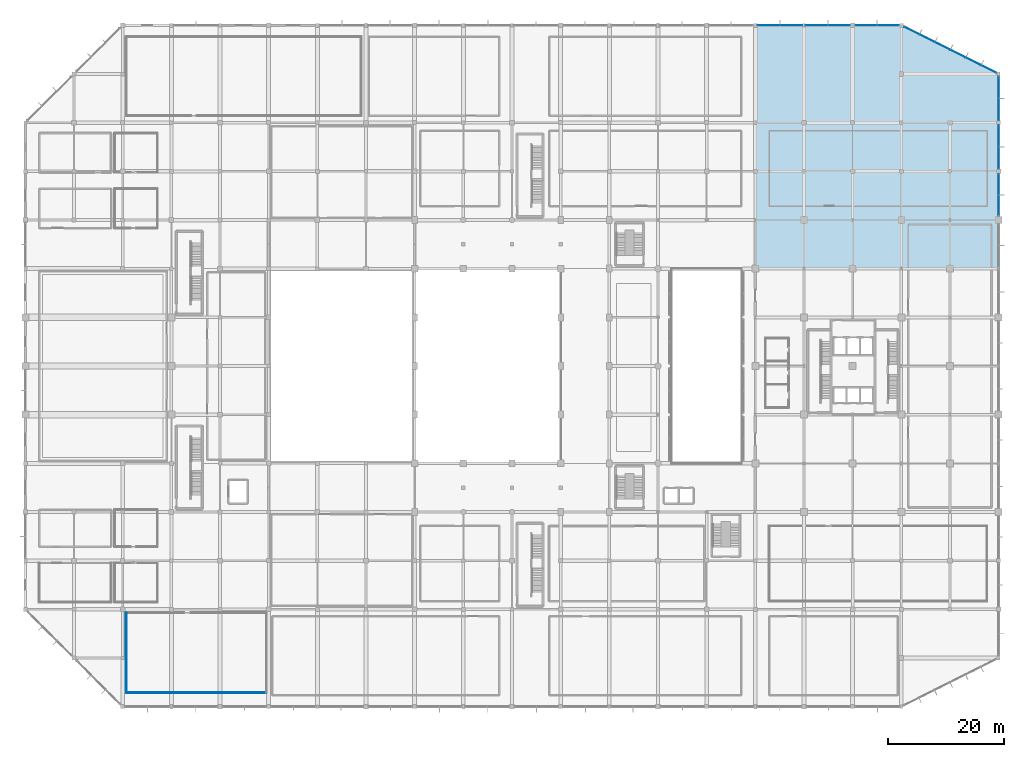
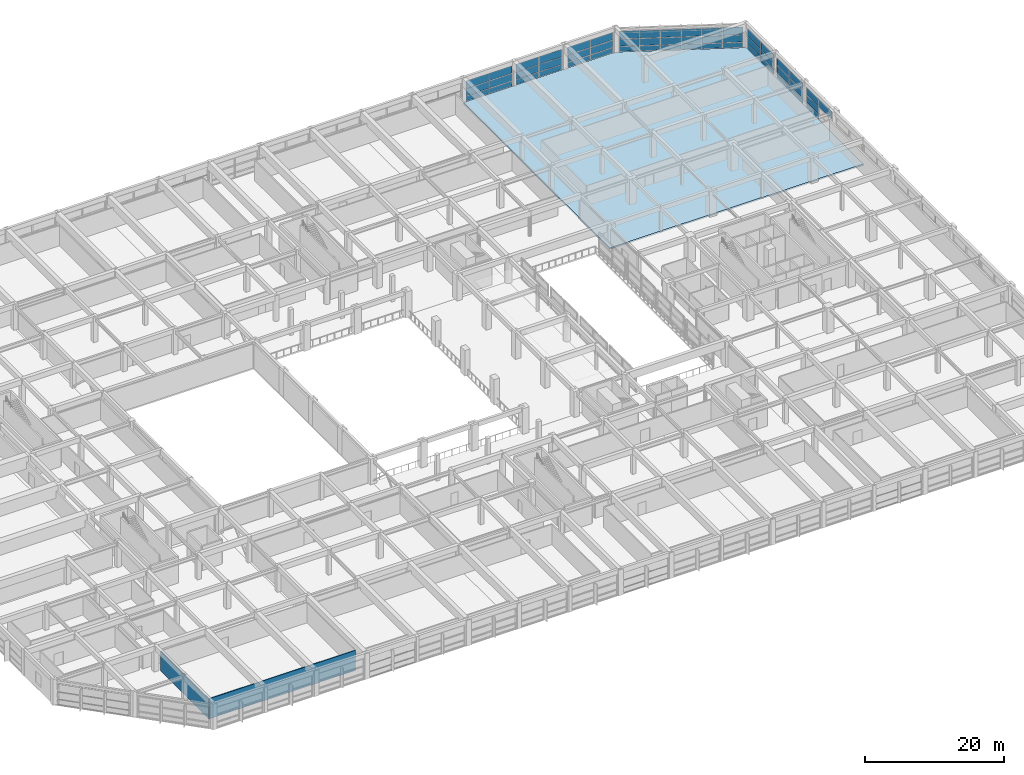
# One storey, part 49 of 65: 52 plates, 2 walls, 1 slab, 7 elements without a shape of their own.
"""IFC4 building model written with IfcOpenShell, lengths in metres."""

from ifc_helpers import new_model, si_unit, direction, frame, frame_2d, origin, origin_2d, place, context, subcontext, project, spatial, polyline, rectangle, outline, extrude, material, layer, layer_set, type_object, element, aggregate, save


model = new_model("IFC4")

# Units and contexts
model_context = context("Model", 3, precision=1e-05, world=origin(), true_north=direction((0.0, 1.0)))
body_context = subcontext(model_context, "Body", "Model", "MODEL_VIEW")
ifc_project = project(units=[si_unit("LENGTHUNIT", "METRE"), si_unit("AREAUNIT", "SQUARE_METRE"), si_unit("VOLUMEUNIT", "CUBIC_METRE"), si_unit("PLANEANGLEUNIT", "RADIAN"), si_unit("MASSUNIT", "GRAM", prefix="KILO")], contexts=[model_context])

# Site, building, storey
site_placement = place(None, origin())
site = spatial("IfcSite", under=ifc_project, at=site_placement, CompositionType="ELEMENT")
building_placement = place(site_placement, origin())
building = spatial("IfcBuilding", under=site, at=building_placement, Name="Xuanlan Plaza Opera House", CompositionType="ELEMENT")
storey_placement = place(building_placement, frame((0.0, 0.0, 5.39990234375)))
storey = spatial("IfcBuildingStorey", under=building, at=storey_placement, Name="L01", CompositionType="ELEMENT", Elevation=5.39990234375)

# Curtain wall, plates
ifc_material_1 = material(Name="Anodised Aluminium 6063-T6 and Low-E Glass", Category="aluminium")
curtain_wall_type_1 = type_object("IfcCurtainWallType", Name="ENV-CW-CW-02", PredefinedType="USERDEFINED", material=ifc_material_1)
curtain_wall_1_placement = place(storey_placement, origin())
curtain_wall_1 = element("IfcCurtainWall", 1, at=curtain_wall_1_placement, inside=storey, type_object=curtain_wall_type_1, Name="Unitised Curtain Wall L01-031", ObjectType="UNITISED CURTAIN WALL", PredefinedType="USERDEFINED")
ifc_material_2 = material(Name="Laminated Acoustic Double Glazing", Category="glass")
ifc_layer_1 = layer(ifc_material_2, 0.028076171875)
ifc_layer_set_1 = layer_set([ifc_layer_1], Name="Laminated Acoustic Double Glazing")
plate_type_1 = type_object("IfcPlateType", Name="ENV-CWP-01", PredefinedType="CURTAIN_PANEL", material=ifc_layer_set_1)
plate_1_placement = place(storey_placement, frame((148.907470703125, 117.60009765625, 0.090087890625), z_axis=(0.0, 0.0, 1.0), x_axis=(-1.0, 0.0, 0.0)))
plate_1 = element("IfcPlate", 2, at=plate_1_placement, type_object=plate_type_1, Name="CW-02 panel 1.1", PredefinedType="CURTAIN_PANEL", context=body_context, shape_type="SweptSolid", body=[
    extrude(rectangle(XDim=3.68505859375, YDim=0.028076171875, at=origin_2d()), origin(), (0.0, 0.0, 1.0), 0.81494140625),
])
plate_2_placement = place(storey_placement, frame((148.907470703125, 117.60009765625, 0.9951171875), z_axis=(0.0, 0.0, 1.0), x_axis=(-1.0, 0.0, 0.0)))
plate_2 = element("IfcPlate", 3, at=plate_2_placement, type_object=plate_type_1, Name="CW-02 panel 1.2", PredefinedType="CURTAIN_PANEL", context=body_context, shape_type="SweptSolid", body=[
    extrude(rectangle(XDim=3.68505859375, YDim=0.028076171875, at=origin_2d()), origin(), (0.0, 0.0, 1.0), 1.2099609375),
])
plate_3_placement = place(storey_placement, frame((148.907470703125, 117.60009765625, 2.295166015625), z_axis=(0.0, 0.0, 1.0), x_axis=(-1.0, 0.0, 0.0)))
plate_3 = element("IfcPlate", 4, at=plate_3_placement, type_object=plate_type_1, Name="CW-02 panel 1.3", PredefinedType="CURTAIN_PANEL", context=body_context, shape_type="SweptSolid", body=[
    extrude(rectangle(XDim=3.68505859375, YDim=0.028076171875, at=origin_2d()), origin(), (0.0, 0.0, 1.0), 1.294921875),
])
plate_4_placement = place(storey_placement, frame((145.142578125, 117.60009765625, 0.090087890625), z_axis=(0.0, 0.0, 1.0), x_axis=(-1.0, 0.0, 0.0)))
plate_4 = element("IfcPlate", 5, at=plate_4_placement, type_object=plate_type_1, Name="CW-02 panel 2.1", PredefinedType="CURTAIN_PANEL", context=body_context, shape_type="SweptSolid", body=[
    extrude(rectangle(XDim=3.68505859375, YDim=0.028076171875, at=origin_2d()), origin(), (0.0, 0.0, 1.0), 0.81494140625),
])
plate_5_placement = place(storey_placement, frame((145.142578125, 117.60009765625, 0.9951171875), z_axis=(0.0, 0.0, 1.0), x_axis=(-1.0, 0.0, 0.0)))
plate_5 = element("IfcPlate", 6, at=plate_5_placement, type_object=plate_type_1, Name="CW-02 panel 2.2", PredefinedType="CURTAIN_PANEL", context=body_context, shape_type="SweptSolid", body=[
    extrude(rectangle(XDim=3.68505859375, YDim=0.028076171875, at=origin_2d()), origin(), (0.0, 0.0, 1.0), 1.2099609375),
])
plate_6_placement = place(storey_placement, frame((145.142578125, 117.60009765625, 2.295166015625), z_axis=(0.0, 0.0, 1.0), x_axis=(-1.0, 0.0, 0.0)))
plate_6 = element("IfcPlate", 7, at=plate_6_placement, type_object=plate_type_1, Name="CW-02 panel 2.3", PredefinedType="CURTAIN_PANEL", context=body_context, shape_type="SweptSolid", body=[
    extrude(rectangle(XDim=3.68505859375, YDim=0.028076171875, at=origin_2d()), origin(), (0.0, 0.0, 1.0), 1.294921875),
])
aggregate(curtain_wall_1, [plate_1, plate_2, plate_3, plate_4, plate_5, plate_6])

curtain_wall_type_2 = type_object("IfcCurtainWallType", Name="ENV-CW-CW-03", PredefinedType="USERDEFINED", material=ifc_material_1)
curtain_wall_2_placement = place(storey_placement, origin())
curtain_wall_2 = element("IfcCurtainWall", 8, at=curtain_wall_2_placement, inside=storey, type_object=curtain_wall_type_2, Name="Unitised Curtain Wall L01-028", ObjectType="UNITISED CURTAIN WALL", PredefinedType="USERDEFINED")
ifc_layer_2 = layer(ifc_material_2, 0.031982421875)
ifc_layer_set_2 = layer_set([ifc_layer_2], Name="Laminated Acoustic Double Glazing")
plate_type_2 = type_object("IfcPlateType", Name="ENV-CWP-02", PredefinedType="CURTAIN_PANEL", material=ifc_layer_set_2)
plate_7_placement = place(storey_placement, frame((168.0, 94.73876953125, 0.080078125), z_axis=(0.0, 0.0, 1.0), x_axis=(0.0, 1.0, 0.0)))
plate_7 = element("IfcPlate", 9, at=plate_7_placement, type_object=plate_type_2, Name="CW-03 panel 1.1", PredefinedType="CURTAIN_PANEL", context=body_context, shape_type="SweptSolid", body=[
    extrude(rectangle(XDim=3.70751953125, YDim=0.031982421875, at=origin_2d()), origin(), (0.0, 0.0, 1.0), 0.830078125),
])
plate_8_placement = place(storey_placement, frame((168.0, 94.73876953125, 0.990234375), z_axis=(0.0, 0.0, 1.0), x_axis=(0.0, 1.0, 0.0)))
plate_8 = element("IfcPlate", 10, at=plate_8_placement, type_object=plate_type_2, Name="CW-03 panel 1.2", PredefinedType="CURTAIN_PANEL", context=body_context, shape_type="SweptSolid", body=[
    extrude(rectangle(XDim=3.70751953125, YDim=0.031982421875, at=origin_2d()), origin(), (0.0, 0.0, 1.0), 1.219970703125),
])
plate_9_placement = place(storey_placement, frame((168.0, 94.73876953125, 2.2900390625), z_axis=(0.0, 0.0, 1.0), x_axis=(0.0, 1.0, 0.0)))
plate_9 = element("IfcPlate", 11, at=plate_9_placement, type_object=plate_type_2, Name="CW-03 panel 1.3", PredefinedType="CURTAIN_PANEL", context=body_context, shape_type="SweptSolid", body=[
    extrude(rectangle(XDim=3.70751953125, YDim=0.031982421875, at=origin_2d()), origin(), (0.0, 0.0, 1.0), 1.31005859375),
])
plate_10_placement = place(storey_placement, frame((168.0, 98.51123046875, 0.080078125), z_axis=(0.0, 0.0, 1.0), x_axis=(0.0, 1.0, 0.0)))
plate_10 = element("IfcPlate", 12, at=plate_10_placement, type_object=plate_type_2, Name="CW-03 panel 2.1", PredefinedType="CURTAIN_PANEL", context=body_context, shape_type="SweptSolid", body=[
    extrude(rectangle(XDim=3.70751953125, YDim=0.031982421875, at=origin_2d()), origin(), (0.0, 0.0, 1.0), 0.830078125),
])
plate_11_placement = place(storey_placement, frame((168.0, 98.51123046875, 0.990234375), z_axis=(0.0, 0.0, 1.0), x_axis=(0.0, 1.0, 0.0)))
plate_11 = element("IfcPlate", 13, at=plate_11_placement, type_object=plate_type_2, Name="CW-03 panel 2.2", PredefinedType="CURTAIN_PANEL", context=body_context, shape_type="SweptSolid", body=[
    extrude(rectangle(XDim=3.70751953125, YDim=0.031982421875, at=origin_2d()), origin(), (0.0, 0.0, 1.0), 1.219970703125),
])
plate_12_placement = place(storey_placement, frame((168.0, 98.51123046875, 2.2900390625), z_axis=(0.0, 0.0, 1.0), x_axis=(0.0, 1.0, 0.0)))
plate_12 = element("IfcPlate", 14, at=plate_12_placement, type_object=plate_type_2, Name="CW-03 panel 2.3", PredefinedType="CURTAIN_PANEL", context=body_context, shape_type="SweptSolid", body=[
    extrude(rectangle(XDim=3.70751953125, YDim=0.031982421875, at=origin_2d()), origin(), (0.0, 0.0, 1.0), 1.31005859375),
])
aggregate(curtain_wall_2, [plate_7, plate_8, plate_9, plate_10, plate_11, plate_12])

curtain_wall_type_3 = type_object("IfcCurtainWallType", Name="ENV-CW-CW-06", PredefinedType="USERDEFINED", material=ifc_material_1)
curtain_wall_3_placement = place(storey_placement, origin())
curtain_wall_3 = element("IfcCurtainWall", 15, at=curtain_wall_3_placement, inside=storey, type_object=curtain_wall_type_3, Name="Acoustic Glazed Wall L01-033", ObjectType="ACOUSTIC GLAZED WALL", PredefinedType="USERDEFINED")
plate_13_placement = place(storey_placement, frame((132.1923828125, 117.60009765625, 0.080078125), z_axis=(0.0, 0.0, 1.0), x_axis=(-1.0, 0.0, 0.0)))
plate_13 = element("IfcPlate", 16, at=plate_13_placement, type_object=plate_type_2, Name="CW-06 panel 1.1", PredefinedType="CURTAIN_PANEL", context=body_context, shape_type="SweptSolid", body=[
    extrude(rectangle(XDim=3.794921875, YDim=0.031982421875, at=origin_2d()), origin(), (0.0, 0.0, 1.0), 0.830078125),
])
plate_14_placement = place(storey_placement, frame((132.1923828125, 117.60009765625, 0.990234375), z_axis=(0.0, 0.0, 1.0), x_axis=(-1.0, 0.0, 0.0)))
plate_14 = element("IfcPlate", 17, at=plate_14_placement, type_object=plate_type_2, Name="CW-06 panel 1.2", PredefinedType="CURTAIN_PANEL", context=body_context, shape_type="SweptSolid", body=[
    extrude(rectangle(XDim=3.794921875, YDim=0.031982421875, at=origin_2d()), origin(), (0.0, 0.0, 1.0), 1.219970703125),
])
plate_15_placement = place(storey_placement, frame((132.1923828125, 117.60009765625, 2.2900390625), z_axis=(0.0, 0.0, 1.0), x_axis=(-1.0, 0.0, 0.0)))
plate_15 = element("IfcPlate", 18, at=plate_15_placement, type_object=plate_type_2, Name="CW-06 panel 1.3", PredefinedType="CURTAIN_PANEL", context=body_context, shape_type="SweptSolid", body=[
    extrude(rectangle(XDim=3.794921875, YDim=0.031982421875, at=origin_2d()), origin(), (0.0, 0.0, 1.0), 1.31005859375),
])
plate_16_placement = place(storey_placement, frame((128.33251953125, 117.60009765625, 0.080078125), z_axis=(0.0, 0.0, 1.0), x_axis=(-1.0, 0.0, 0.0)))
plate_16 = element("IfcPlate", 19, at=plate_16_placement, type_object=plate_type_2, Name="CW-06 panel 2.1", PredefinedType="CURTAIN_PANEL", context=body_context, shape_type="SweptSolid", body=[
    extrude(rectangle(XDim=3.794921875, YDim=0.031982421875, at=origin_2d()), origin(), (0.0, 0.0, 1.0), 0.830078125),
])
plate_17_placement = place(storey_placement, frame((128.33251953125, 117.60009765625, 0.990234375), z_axis=(0.0, 0.0, 1.0), x_axis=(-1.0, 0.0, 0.0)))
plate_17 = element("IfcPlate", 20, at=plate_17_placement, type_object=plate_type_2, Name="CW-06 panel 2.2", PredefinedType="CURTAIN_PANEL", context=body_context, shape_type="SweptSolid", body=[
    extrude(rectangle(XDim=3.794921875, YDim=0.031982421875, at=origin_2d()), origin(), (0.0, 0.0, 1.0), 1.219970703125),
])
plate_18_placement = place(storey_placement, frame((128.33251953125, 117.60009765625, 2.2900390625), z_axis=(0.0, 0.0, 1.0), x_axis=(-1.0, 0.0, 0.0)))
plate_18 = element("IfcPlate", 21, at=plate_18_placement, type_object=plate_type_2, Name="CW-06 panel 2.3", PredefinedType="CURTAIN_PANEL", context=body_context, shape_type="SweptSolid", body=[
    extrude(rectangle(XDim=3.794921875, YDim=0.031982421875, at=origin_2d()), origin(), (0.0, 0.0, 1.0), 1.31005859375),
])
aggregate(curtain_wall_3, [plate_13, plate_14, plate_15, plate_16, plate_17, plate_18])

curtain_wall_type_4 = type_object("IfcCurtainWallType", Name="ENV-CW-CW-01", PredefinedType="USERDEFINED", material=ifc_material_1)
curtain_wall_4_placement = place(storey_placement, origin())
curtain_wall_4 = element("IfcCurtainWall", 22, at=curtain_wall_4_placement, inside=storey, type_object=curtain_wall_type_4, Name="Unitised Curtain Wall L01-030", ObjectType="UNITISED CURTAIN WALL", PredefinedType="USERDEFINED")
ifc_layer_3 = layer(ifc_material_2, 0.035888671875)
ifc_layer_set_3 = layer_set([ifc_layer_3], Name="Laminated Acoustic Double Glazing")
plate_type_3 = type_object("IfcPlateType", Name="ENV-CWP-03", PredefinedType="CURTAIN_PANEL", material=ifc_layer_set_3)
plate_19_placement = place(storey_placement, frame((166.27880859375, 110.060546875, 0.0751953125), z_axis=(0.0, 0.0, 1.0), x_axis=(-0.894427191001, 0.447213595499, 0.0)))
plate_19 = element("IfcPlate", 23, at=plate_19_placement, type_object=plate_type_3, Name="CW-01 panel 1.1", PredefinedType="CURTAIN_PANEL", context=body_context, shape_type="SweptSolid", body=[
    extrude(rectangle(XDim=2.859619140625, YDim=0.035888671875, at=origin_2d()), origin(), (0.0, 0.0, 1.0), 0.83740234375),
])
plate_20_placement = place(storey_placement, frame((166.27880859375, 110.060546875, 0.987548828125), z_axis=(0.0, 0.0, 1.0), x_axis=(-0.894427191001, 0.447213595499, 0.0)))
plate_20 = element("IfcPlate", 24, at=plate_20_placement, type_object=plate_type_3, Name="CW-01 panel 1.2", PredefinedType="CURTAIN_PANEL", context=body_context, shape_type="SweptSolid", body=[
    extrude(rectangle(XDim=2.859619140625, YDim=0.035888671875, at=origin_2d()), origin(), (0.0, 0.0, 1.0), 1.22509765625),
])
plate_21_placement = place(storey_placement, frame((166.27880859375, 110.060546875, 2.28759765625), z_axis=(0.0, 0.0, 1.0), x_axis=(-0.894427191001, 0.447213595499, 0.0)))
plate_21 = element("IfcPlate", 25, at=plate_21_placement, type_object=plate_type_3, Name="CW-01 panel 1.3", PredefinedType="CURTAIN_PANEL", context=body_context, shape_type="SweptSolid", body=[
    extrude(rectangle(XDim=2.859619140625, YDim=0.035888671875, at=origin_2d()), origin(), (0.0, 0.0, 1.0), 1.3173828125),
])
plate_22_placement = place(storey_placement, frame((163.637451171875, 111.38134765625, 0.0751953125), z_axis=(0.0, 0.0, 1.0), x_axis=(-0.894427191001, 0.447213595499, 0.0)))
plate_22 = element("IfcPlate", 26, at=plate_22_placement, type_object=plate_type_3, Name="CW-01 panel 2.1", PredefinedType="CURTAIN_PANEL", context=body_context, shape_type="SweptSolid", body=[
    extrude(rectangle(XDim=2.89697265625, YDim=0.035888671875, at=origin_2d()), origin(), (0.0, 0.0, 1.0), 0.83740234375),
])
plate_23_placement = place(storey_placement, frame((163.637451171875, 111.38134765625, 0.987548828125), z_axis=(0.0, 0.0, 1.0), x_axis=(-0.894427191001, 0.447213595499, 0.0)))
plate_23 = element("IfcPlate", 27, at=plate_23_placement, type_object=plate_type_3, Name="CW-01 panel 2.2", PredefinedType="CURTAIN_PANEL", context=body_context, shape_type="SweptSolid", body=[
    extrude(rectangle(XDim=2.89697265625, YDim=0.035888671875, at=origin_2d()), origin(), (0.0, 0.0, 1.0), 1.22509765625),
])
plate_24_placement = place(storey_placement, frame((163.637451171875, 111.38134765625, 2.28759765625), z_axis=(0.0, 0.0, 1.0), x_axis=(-0.894427191001, 0.447213595499, 0.0)))
plate_24 = element("IfcPlate", 28, at=plate_24_placement, type_object=plate_type_3, Name="CW-01 panel 2.3", PredefinedType="CURTAIN_PANEL", context=body_context, shape_type="SweptSolid", body=[
    extrude(rectangle(XDim=2.89697265625, YDim=0.035888671875, at=origin_2d()), origin(), (0.0, 0.0, 1.0), 1.3173828125),
])
plate_25_placement = place(storey_placement, frame((160.979248046875, 112.71044921875, 0.0751953125), z_axis=(0.0, 0.0, 1.0), x_axis=(-0.894427191001, 0.447213595499, 0.0)))
plate_25 = element("IfcPlate", 29, at=plate_25_placement, type_object=plate_type_3, Name="CW-01 panel 3.1", PredefinedType="CURTAIN_PANEL", context=body_context, shape_type="SweptSolid", body=[
    extrude(rectangle(XDim=2.89697265625, YDim=0.035888671875, at=origin_2d()), origin(), (0.0, 0.0, 1.0), 0.83740234375),
])
plate_26_placement = place(storey_placement, frame((160.979248046875, 112.71044921875, 0.987548828125), z_axis=(0.0, 0.0, 1.0), x_axis=(-0.894427191001, 0.447213595499, 0.0)))
plate_26 = element("IfcPlate", 30, at=plate_26_placement, type_object=plate_type_3, Name="CW-01 panel 3.2", PredefinedType="CURTAIN_PANEL", context=body_context, shape_type="SweptSolid", body=[
    extrude(rectangle(XDim=2.89697265625, YDim=0.035888671875, at=origin_2d()), origin(), (0.0, 0.0, 1.0), 1.22509765625),
])
plate_27_placement = place(storey_placement, frame((160.979248046875, 112.71044921875, 2.28759765625), z_axis=(0.0, 0.0, 1.0), x_axis=(-0.894427191001, 0.447213595499, 0.0)))
plate_27 = element("IfcPlate", 31, at=plate_27_placement, type_object=plate_type_3, Name="CW-01 panel 3.3", PredefinedType="CURTAIN_PANEL", context=body_context, shape_type="SweptSolid", body=[
    extrude(rectangle(XDim=2.89697265625, YDim=0.035888671875, at=origin_2d()), origin(), (0.0, 0.0, 1.0), 1.3173828125),
])
plate_28_placement = place(storey_placement, frame((158.32080078125, 114.03955078125, 0.0751953125), z_axis=(0.0, 0.0, 1.0), x_axis=(-0.894427191001, 0.447213595499, 0.0)))
plate_28 = element("IfcPlate", 32, at=plate_28_placement, type_object=plate_type_3, Name="CW-01 panel 4.1", PredefinedType="CURTAIN_PANEL", context=body_context, shape_type="SweptSolid", body=[
    extrude(rectangle(XDim=2.89697265625, YDim=0.035888671875, at=origin_2d()), origin(), (0.0, 0.0, 1.0), 0.83740234375),
])
plate_29_placement = place(storey_placement, frame((158.32080078125, 114.03955078125, 0.987548828125), z_axis=(0.0, 0.0, 1.0), x_axis=(-0.894427191001, 0.447213595499, 0.0)))
plate_29 = element("IfcPlate", 33, at=plate_29_placement, type_object=plate_type_3, Name="CW-01 panel 4.2", PredefinedType="CURTAIN_PANEL", context=body_context, shape_type="SweptSolid", body=[
    extrude(rectangle(XDim=2.89697265625, YDim=0.035888671875, at=origin_2d()), origin(), (0.0, 0.0, 1.0), 1.22509765625),
])
plate_30_placement = place(storey_placement, frame((158.32080078125, 114.03955078125, 2.28759765625), z_axis=(0.0, 0.0, 1.0), x_axis=(-0.894427191001, 0.447213595499, 0.0)))
plate_30 = element("IfcPlate", 34, at=plate_30_placement, type_object=plate_type_3, Name="CW-01 panel 4.3", PredefinedType="CURTAIN_PANEL", context=body_context, shape_type="SweptSolid", body=[
    extrude(rectangle(XDim=2.89697265625, YDim=0.035888671875, at=origin_2d()), origin(), (0.0, 0.0, 1.0), 1.3173828125),
])
plate_31_placement = place(storey_placement, frame((155.66259765625, 115.36865234375, 0.0751953125), z_axis=(0.0, 0.0, 1.0), x_axis=(-0.894427191001, 0.447213595499, 0.0)))
plate_31 = element("IfcPlate", 35, at=plate_31_placement, type_object=plate_type_3, Name="CW-01 panel 5.1", PredefinedType="CURTAIN_PANEL", context=body_context, shape_type="SweptSolid", body=[
    extrude(rectangle(XDim=2.89697265625, YDim=0.035888671875, at=origin_2d()), origin(), (0.0, 0.0, 1.0), 0.83740234375),
])
plate_32_placement = place(storey_placement, frame((155.66259765625, 115.36865234375, 0.987548828125), z_axis=(0.0, 0.0, 1.0), x_axis=(-0.894427191001, 0.447213595499, 0.0)))
plate_32 = element("IfcPlate", 36, at=plate_32_placement, type_object=plate_type_3, Name="CW-01 panel 5.2", PredefinedType="CURTAIN_PANEL", context=body_context, shape_type="SweptSolid", body=[
    extrude(rectangle(XDim=2.89697265625, YDim=0.035888671875, at=origin_2d()), origin(), (0.0, 0.0, 1.0), 1.22509765625),
])
plate_33_placement = place(storey_placement, frame((155.66259765625, 115.36865234375, 2.28759765625), z_axis=(0.0, 0.0, 1.0), x_axis=(-0.894427191001, 0.447213595499, 0.0)))
plate_33 = element("IfcPlate", 37, at=plate_33_placement, type_object=plate_type_3, Name="CW-01 panel 5.3", PredefinedType="CURTAIN_PANEL", context=body_context, shape_type="SweptSolid", body=[
    extrude(rectangle(XDim=2.89697265625, YDim=0.035888671875, at=origin_2d()), origin(), (0.0, 0.0, 1.0), 1.3173828125),
])
plate_34_placement = place(storey_placement, frame((153.02099609375, 116.689453125, 0.0751953125), z_axis=(0.0, 0.0, 1.0), x_axis=(-0.894427191001, 0.447213595499, 0.0)))
plate_34 = element("IfcPlate", 38, at=plate_34_placement, type_object=plate_type_3, Name="CW-01 panel 6.1", PredefinedType="CURTAIN_PANEL", context=body_context, shape_type="SweptSolid", body=[
    extrude(rectangle(XDim=2.859619140625, YDim=0.035888671875, at=origin_2d()), origin(), (0.0, 0.0, 1.0), 0.83740234375),
])
plate_35_placement = place(storey_placement, frame((153.02099609375, 116.689453125, 0.987548828125), z_axis=(0.0, 0.0, 1.0), x_axis=(-0.894427191001, 0.447213595499, 0.0)))
plate_35 = element("IfcPlate", 39, at=plate_35_placement, type_object=plate_type_3, Name="CW-01 panel 6.2", PredefinedType="CURTAIN_PANEL", context=body_context, shape_type="SweptSolid", body=[
    extrude(rectangle(XDim=2.859619140625, YDim=0.035888671875, at=origin_2d()), origin(), (0.0, 0.0, 1.0), 1.22509765625),
])
plate_36_placement = place(storey_placement, frame((153.02099609375, 116.689453125, 2.28759765625), z_axis=(0.0, 0.0, 1.0), x_axis=(-0.894427191001, 0.447213595499, 0.0)))
plate_36 = element("IfcPlate", 40, at=plate_36_placement, type_object=plate_type_3, Name="CW-01 panel 6.3", PredefinedType="CURTAIN_PANEL", context=body_context, shape_type="SweptSolid", body=[
    extrude(rectangle(XDim=2.859619140625, YDim=0.035888671875, at=origin_2d()), origin(), (0.0, 0.0, 1.0), 1.3173828125),
])
aggregate(curtain_wall_4, [plate_19, plate_20, plate_21, plate_22, plate_23, plate_24, plate_25, plate_26, plate_27, plate_28, plate_29, plate_30, plate_31, plate_32, plate_33, plate_34, plate_35, plate_36])

curtain_wall_5_placement = place(storey_placement, origin())
curtain_wall_5 = element("IfcCurtainWall", 41, at=curtain_wall_5_placement, inside=storey, type_object=curtain_wall_type_1, Name="Unitised Curtain Wall L01-027", ObjectType="UNITISED CURTAIN WALL", PredefinedType="USERDEFINED")
ifc_layer_4 = layer(ifc_material_2, 0.0400390625)
ifc_layer_set_4 = layer_set([ifc_layer_4], Name="Laminated Acoustic Double Glazing")
plate_type_4 = type_object("IfcPlateType", Name="ENV-CWP-04", PredefinedType="CURTAIN_PANEL", material=ifc_layer_set_4)
plate_37_placement = place(storey_placement, frame((168.0, 86.482421875, 2.28515625), z_axis=(0.0, 0.0, 1.0), x_axis=(0.0, 1.0, 0.0)))
plate_37 = element("IfcPlate", 42, at=plate_37_placement, type_object=plate_type_4, Name="CW-02 panel 1.3", PredefinedType="CURTAIN_PANEL", context=body_context, shape_type="SweptSolid", body=[
    extrude(rectangle(XDim=3.544921875, YDim=0.0400390625, at=origin_2d()), origin(), (0.0, 0.0, 1.0), 1.324951171875),
])
plate_38_placement = place(storey_placement, frame((168.0, 90.117431640625, 0.0703125), z_axis=(0.0, 0.0, 1.0), x_axis=(0.0, 1.0, 0.0)))
plate_38 = element("IfcPlate", 43, at=plate_38_placement, type_object=plate_type_4, Name="CW-02 panel 2.1", PredefinedType="CURTAIN_PANEL", context=body_context, shape_type="SweptSolid", body=[
    extrude(rectangle(XDim=3.544921875, YDim=0.0400390625, at=origin_2d()), origin(), (0.0, 0.0, 1.0), 0.844970703125),
])
plate_39_placement = place(storey_placement, frame((168.0, 90.117431640625, 0.985107421875), z_axis=(0.0, 0.0, 1.0), x_axis=(0.0, 1.0, 0.0)))
plate_39 = element("IfcPlate", 44, at=plate_39_placement, type_object=plate_type_4, Name="CW-02 panel 2.2", PredefinedType="CURTAIN_PANEL", context=body_context, shape_type="SweptSolid", body=[
    extrude(rectangle(XDim=3.544921875, YDim=0.0400390625, at=origin_2d()), origin(), (0.0, 0.0, 1.0), 1.22998046875),
])
plate_40_placement = place(storey_placement, frame((168.0, 90.117431640625, 2.28515625), z_axis=(0.0, 0.0, 1.0), x_axis=(0.0, 1.0, 0.0)))
plate_40 = element("IfcPlate", 45, at=plate_40_placement, type_object=plate_type_4, Name="CW-02 panel 2.3", PredefinedType="CURTAIN_PANEL", context=body_context, shape_type="SweptSolid", body=[
    extrude(rectangle(XDim=3.544921875, YDim=0.0400390625, at=origin_2d()), origin(), (0.0, 0.0, 1.0), 1.324951171875),
])
aggregate(curtain_wall_5, [plate_37, plate_38, plate_39, plate_40])

curtain_wall_6_placement = place(storey_placement, origin())
curtain_wall_6 = element("IfcCurtainWall", 46, at=curtain_wall_6_placement, inside=storey, type_object=curtain_wall_type_2, Name="Unitised Curtain Wall L01-032", ObjectType="UNITISED CURTAIN WALL", PredefinedType="USERDEFINED")
plate_41_placement = place(storey_placement, frame((140.423828125, 117.60009765625, 0.0703125), z_axis=(0.0, 0.0, 1.0), x_axis=(-1.0, 0.0, 0.0)))
plate_41 = element("IfcPlate", 47, at=plate_41_placement, type_object=plate_type_4, Name="CW-03 panel 1.1", PredefinedType="CURTAIN_PANEL", context=body_context, shape_type="SweptSolid", body=[
    extrude(rectangle(XDim=3.732421875, YDim=0.0400390625, at=origin_2d()), origin(), (0.0, 0.0, 1.0), 0.844970703125),
])
plate_42_placement = place(storey_placement, frame((140.423828125, 117.60009765625, 0.985107421875), z_axis=(0.0, 0.0, 1.0), x_axis=(-1.0, 0.0, 0.0)))
plate_42 = element("IfcPlate", 48, at=plate_42_placement, type_object=plate_type_4, Name="CW-03 panel 1.2", PredefinedType="CURTAIN_PANEL", context=body_context, shape_type="SweptSolid", body=[
    extrude(rectangle(XDim=3.732421875, YDim=0.0400390625, at=origin_2d()), origin(), (0.0, 0.0, 1.0), 1.22998046875),
])
plate_43_placement = place(storey_placement, frame((140.423828125, 117.60009765625, 2.28515625), z_axis=(0.0, 0.0, 1.0), x_axis=(-1.0, 0.0, 0.0)))
plate_43 = element("IfcPlate", 49, at=plate_43_placement, type_object=plate_type_4, Name="CW-03 panel 1.3", PredefinedType="CURTAIN_PANEL", context=body_context, shape_type="SweptSolid", body=[
    extrude(rectangle(XDim=3.732421875, YDim=0.0400390625, at=origin_2d()), origin(), (0.0, 0.0, 1.0), 1.324951171875),
])
plate_44_placement = place(storey_placement, frame((136.601318359375, 117.60009765625, 0.0703125), z_axis=(0.0, 0.0, 1.0), x_axis=(-1.0, 0.0, 0.0)))
plate_44 = element("IfcPlate", 50, at=plate_44_placement, type_object=plate_type_4, Name="CW-03 panel 2.1", PredefinedType="CURTAIN_PANEL", context=body_context, shape_type="SweptSolid", body=[
    extrude(rectangle(XDim=3.732421875, YDim=0.0400390625, at=origin_2d()), origin(), (0.0, 0.0, 1.0), 0.844970703125),
])
plate_45_placement = place(storey_placement, frame((136.601318359375, 117.60009765625, 0.985107421875), z_axis=(0.0, 0.0, 1.0), x_axis=(-1.0, 0.0, 0.0)))
plate_45 = element("IfcPlate", 51, at=plate_45_placement, type_object=plate_type_4, Name="CW-03 panel 2.2", PredefinedType="CURTAIN_PANEL", context=body_context, shape_type="SweptSolid", body=[
    extrude(rectangle(XDim=3.732421875, YDim=0.0400390625, at=origin_2d()), origin(), (0.0, 0.0, 1.0), 1.22998046875),
])
plate_46_placement = place(storey_placement, frame((136.601318359375, 117.60009765625, 2.28515625), z_axis=(0.0, 0.0, 1.0), x_axis=(-1.0, 0.0, 0.0)))
plate_46 = element("IfcPlate", 52, at=plate_46_placement, type_object=plate_type_4, Name="CW-03 panel 2.3", PredefinedType="CURTAIN_PANEL", context=body_context, shape_type="SweptSolid", body=[
    extrude(rectangle(XDim=3.732421875, YDim=0.0400390625, at=origin_2d()), origin(), (0.0, 0.0, 1.0), 1.324951171875),
])
aggregate(curtain_wall_6, [plate_41, plate_42, plate_43, plate_44, plate_45, plate_46])

curtain_wall_type_5 = type_object("IfcCurtainWallType", Name="ENV-CW-CW-04", PredefinedType="USERDEFINED", material=ifc_material_1)
curtain_wall_7_placement = place(storey_placement, origin())
curtain_wall_7 = element("IfcCurtainWall", 53, at=curtain_wall_7_placement, inside=storey, type_object=curtain_wall_type_5, Name="Unitised Curtain Wall L01-029", ObjectType="UNITISED CURTAIN WALL", PredefinedType="USERDEFINED")
ifc_layer_5 = layer(ifc_material_2, 0.0439453125)
ifc_layer_set_5 = layer_set([ifc_layer_5], Name="Laminated Acoustic Double Glazing")
plate_type_5 = type_object("IfcPlateType", Name="ENV-CWP-05", PredefinedType="CURTAIN_PANEL", material=ifc_layer_set_5)
plate_47_placement = place(storey_placement, frame((168.0, 103.09619140625, 0.065185546875), z_axis=(0.0, 0.0, 1.0), x_axis=(0.0, 1.0, 0.0)))
plate_47 = element("IfcPlate", 54, at=plate_47_placement, type_object=plate_type_5, Name="CW-04 panel 1.1", PredefinedType="CURTAIN_PANEL", context=body_context, shape_type="SweptSolid", body=[
    extrude(rectangle(XDim=3.71240234375, YDim=0.0439453125, at=origin_2d()), origin(), (0.0, 0.0, 1.0), 0.8525390625),
])
plate_48_placement = place(storey_placement, frame((168.0, 103.09619140625, 0.982421875), z_axis=(0.0, 0.0, 1.0), x_axis=(0.0, 1.0, 0.0)))
plate_48 = element("IfcPlate", 55, at=plate_48_placement, type_object=plate_type_5, Name="CW-04 panel 1.2", PredefinedType="CURTAIN_PANEL", context=body_context, shape_type="SweptSolid", body=[
    extrude(rectangle(XDim=3.71240234375, YDim=0.0439453125, at=origin_2d()), origin(), (0.0, 0.0, 1.0), 1.235107421875),
])
plate_49_placement = place(storey_placement, frame((168.0, 103.09619140625, 2.282470703125), z_axis=(0.0, 0.0, 1.0), x_axis=(0.0, 1.0, 0.0)))
plate_49 = element("IfcPlate", 56, at=plate_49_placement, type_object=plate_type_5, Name="CW-04 panel 1.3", PredefinedType="CURTAIN_PANEL", context=body_context, shape_type="SweptSolid", body=[
    extrude(rectangle(XDim=3.71240234375, YDim=0.0439453125, at=origin_2d()), origin(), (0.0, 0.0, 1.0), 1.33251953125),
])
plate_50_placement = place(storey_placement, frame((168.0, 106.878662109375, 0.065185546875), z_axis=(0.0, 0.0, 1.0), x_axis=(0.0, 1.0, 0.0)))
plate_50 = element("IfcPlate", 57, at=plate_50_placement, type_object=plate_type_5, Name="CW-04 panel 2.1", PredefinedType="CURTAIN_PANEL", context=body_context, shape_type="SweptSolid", body=[
    extrude(rectangle(XDim=3.71240234375, YDim=0.0439453125, at=origin_2d()), origin(), (0.0, 0.0, 1.0), 0.8525390625),
])
plate_51_placement = place(storey_placement, frame((168.0, 106.878662109375, 0.982421875), z_axis=(0.0, 0.0, 1.0), x_axis=(0.0, 1.0, 0.0)))
plate_51 = element("IfcPlate", 58, at=plate_51_placement, type_object=plate_type_5, Name="CW-04 panel 2.2", PredefinedType="CURTAIN_PANEL", context=body_context, shape_type="SweptSolid", body=[
    extrude(rectangle(XDim=3.71240234375, YDim=0.0439453125, at=origin_2d()), origin(), (0.0, 0.0, 1.0), 1.235107421875),
])
plate_52_placement = place(storey_placement, frame((168.0, 106.878662109375, 2.282470703125), z_axis=(0.0, 0.0, 1.0), x_axis=(0.0, 1.0, 0.0)))
plate_52 = element("IfcPlate", 59, at=plate_52_placement, type_object=plate_type_5, Name="CW-04 panel 2.3", PredefinedType="CURTAIN_PANEL", context=body_context, shape_type="SweptSolid", body=[
    extrude(rectangle(XDim=3.71240234375, YDim=0.0439453125, at=origin_2d()), origin(), (0.0, 0.0, 1.0), 1.33251953125),
])
aggregate(curtain_wall_7, [plate_47, plate_48, plate_49, plate_50, plate_51, plate_52])

# Slab
ifc_material_3 = material(Name="Concrete C40", Category="concrete")
ifc_layer_6 = layer(ifc_material_3, 0.260009765625)
ifc_layer_set_6 = layer_set([ifc_layer_6], Name="Concrete C40")
slab_type = type_object("IfcSlabType", Name="STR-SLB-SL-02", PredefinedType="FLOOR", material=ifc_layer_set_6)
slab_placement = place(storey_placement, frame((0.0, 0.0, -0.260009765625)))
element("IfcSlab", 60, at=slab_placement, inside=storey, type_object=slab_type, Name="Storey L01 Structural Floor Slab Zone 16", PredefinedType="FLOOR", context=body_context, shape_type="SweptSolid", body=[
    extrude(outline(polyline([(168.0, 75.60009765625), (126.0, 75.60009765625), (126.0, 117.60009765625), (151.199951171875, 117.60009765625), (168.0, 109.199951171875), (168.0, 75.60009765625)])), origin(), (0.0, 0.0, 1.0), 0.260009765625),
])

# Walls
ifc_material_4 = material(Name="Gypsum Board and Galvanised Steel Studs", Category="gypsum")
ifc_layer_7 = layer(ifc_material_4, 0.1201171875)
ifc_layer_set_7 = layer_set([ifc_layer_7], Name="Gypsum Board and Galvanised Steel Studs")
wall_type = type_object("IfcWallType", Name="INT-WL-PW-04", PredefinedType="PARTITIONING", material=ifc_layer_set_7)
wall_1_placement = place(storey_placement, frame((17.39990234375, 2.39990234375, 0.0), z_axis=(0.0, 0.0, 1.0), x_axis=(1.0, 0.0, 0.0)))
element("IfcWall", 61, at=wall_1_placement, inside=storey, type_object=wall_type, Name="Wardrobe and Costume Workshop Wall South", PredefinedType="PARTITIONING", context=body_context, shape_type="SweptSolid", body=[
    extrude(rectangle(XDim=24.2001953125, YDim=0.1201171875, at=frame_2d((12.10009765625, 0.0))), origin(), (0.0, 0.0, 1.0), 3.5400390625),
])
wall_2_placement = place(storey_placement, frame((17.39990234375, 2.39990234375, 0.0), z_axis=(0.0, 0.0, 1.0), x_axis=(0.0, 1.0, 0.0)))
element("IfcWall", 62, at=wall_2_placement, inside=storey, type_object=wall_type, Name="Wardrobe and Costume Workshop Wall West", PredefinedType="PARTITIONING", context=body_context, shape_type="SweptSolid", body=[
    extrude(rectangle(XDim=13.800048828125, YDim=0.1201171875, at=frame_2d((6.89990234375, 0.0))), origin(), (0.0, 0.0, 1.0), 3.5400390625),
])

save(model, "model.ifc")
